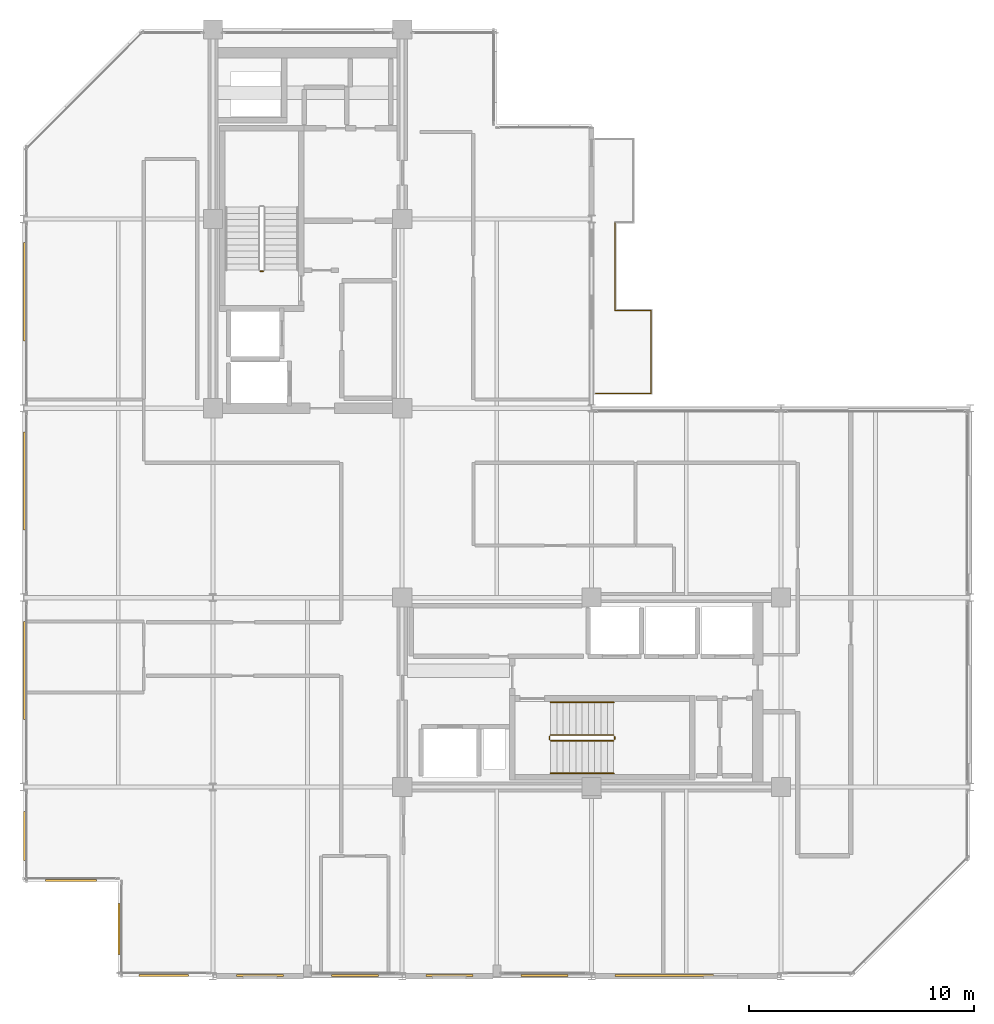
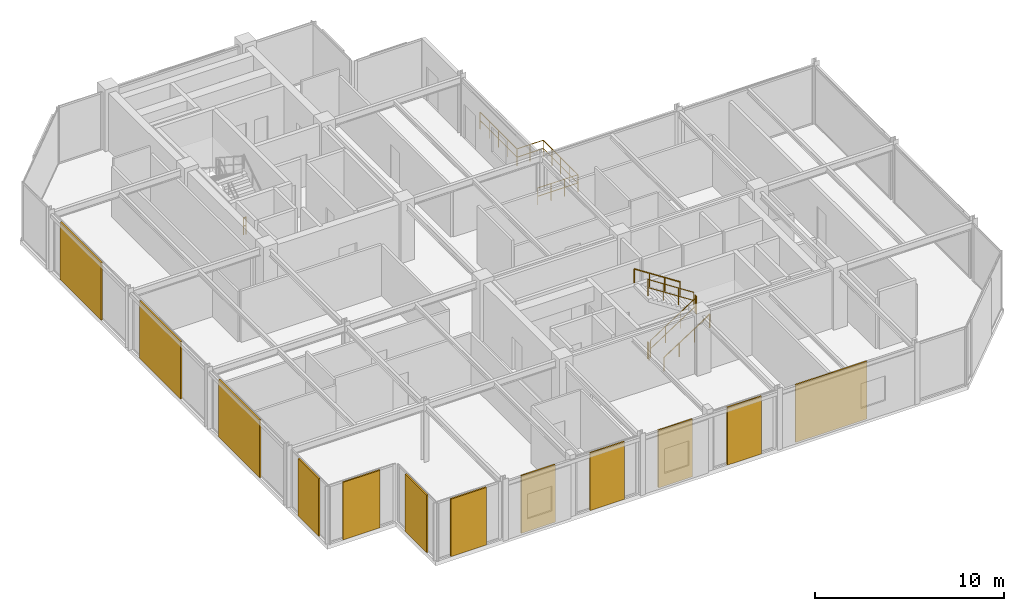
# One storey, part 24 of 26: 12 coverings, 11 railings.
"""IFC4 building model written with IfcOpenShell, lengths in metres."""

import ifcopenshell
import ifcopenshell.guid

model = None  # the IFC model being written
_history = None  # IfcOwnerHistory: only IFC2X3 demands one
_inside = {}  # id of a spatial element -> (the spatial element, [elements in it])
_under = {}  # id of a project, library or spatial element -> (it, [spatial elements below it])
_declared = {}  # id of a project -> (the project, [libraries it declares])
_typed = {}  # id of a type object -> (the type object, [elements of that type])
_made_of = {}  # id of a material, layer set ... -> (it, [elements and type objects made of it])


def new_model(schema):
    """Start an empty IFC model of exactly this schema.

    Asked for "IFC4X3", IfcOpenShell would pick the latest addendum, in which some entities
    have other attributes; the version numbers below select the first issue.
    IFC2X3 requires an IfcOwnerHistory on every rooted entity: one is made here for all.
    """
    global model, _history
    if schema == "IFC4X3":
        model = ifcopenshell.file(schema_version=(4, 3, 0, 0))
    else:
        model = ifcopenshell.file(schema=schema)
    _inside.clear()
    _under.clear()
    _declared.clear()
    _typed.clear()
    _made_of.clear()
    _history = None
    if model.schema == "IFC2X3":
        org = make("IfcOrganization", Name="unknown")
        user = make(
            "IfcPersonAndOrganization",
            ThePerson=make("IfcPerson", FamilyName="unknown"),
            TheOrganization=org,
        )
        app = make(
            "IfcApplication",
            ApplicationDeveloper=org,
            Version="unknown",
            ApplicationFullName="unknown",
            ApplicationIdentifier="unknown",
        )
        _history = make(
            "IfcOwnerHistory",
            OwningUser=user,
            OwningApplication=app,
            ChangeAction="ADDED",
            CreationDate=0,
        )
    return model


def make(cls, **values):
    """One entity of the class cls with the attributes given. An attribute that is None is left unset."""
    return model.create_entity(
        cls, **{name: value for name, value in values.items() if value is not None}
    )


def rooted(cls, **values):
    """An entity with a GlobalId (a new one), such as an element, a storey or a relation."""
    return make(cls, GlobalId=ifcopenshell.guid.new(), OwnerHistory=_history, **values)


def si_unit(unit_type, name, prefix=None):
    """IfcSIUnit, for example si_unit("LENGTHUNIT", "METRE", prefix="MILLI")."""
    return make("IfcSIUnit", UnitType=unit_type, Prefix=prefix, Name=name)


def assignment(units):
    """IfcUnitAssignment: the units of a project."""
    return None if units is None else make("IfcUnitAssignment", Units=units)


def point(xyz):
    """IfcCartesianPoint."""
    return None if xyz is None else make("IfcCartesianPoint", Coordinates=xyz)


def direction(xyz):
    """IfcDirection."""
    return None if xyz is None else make("IfcDirection", DirectionRatios=xyz)


def frame(location, z_axis=None, x_axis=None):
    """IfcAxis2Placement3D, a coordinate frame: its origin and axes. An axis left out is left unset."""
    return make(
        "IfcAxis2Placement3D",
        Location=point(location),
        Axis=direction(z_axis),
        RefDirection=direction(x_axis),
    )


def frame_2d(location, x_axis=None):
    """IfcAxis2Placement2D, a coordinate frame in the plane: its origin and x axis."""
    return make(
        "IfcAxis2Placement2D", Location=point(location), RefDirection=direction(x_axis)
    )


def origin():
    """The frame at (0, 0, 0) with its axes left unset."""
    return frame((0.0, 0.0, 0.0))


def origin_2d():
    """The frame at (0, 0) in the plane with its x axis left unset."""
    return frame_2d((0.0, 0.0))


def place(relative_to, where):
    """IfcLocalPlacement: puts the frame where relative to a parent placement (None: the world)."""
    return make(
        "IfcLocalPlacement", PlacementRelTo=relative_to, RelativePlacement=where
    )


def context(
    kind, dimensions, precision=None, world=None, true_north=None, identifier=None
):
    """IfcGeometricRepresentationContext, for example the 3D "Model" context."""
    return make(
        "IfcGeometricRepresentationContext",
        ContextIdentifier=identifier,
        ContextType=kind,
        CoordinateSpaceDimension=dimensions,
        Precision=precision,
        WorldCoordinateSystem=world,
        TrueNorth=true_north,
    )


def subcontext(parent, identifier, kind, view, scale=None):
    """IfcGeometricRepresentationSubContext, for example "Body" below "Model"."""
    return make(
        "IfcGeometricRepresentationSubContext",
        ContextIdentifier=identifier,
        ContextType=kind,
        ParentContext=parent,
        TargetScale=scale,
        TargetView=view,
    )


def project(units=None, contexts=None):
    """IfcProject with its units and contexts."""
    return rooted(
        "IfcProject",
        Name="project",
        RepresentationContexts=contexts,
        UnitsInContext=assignment(units),
    )


def spatial(cls, under=None, at=None, **own):
    """A site, building, storey or space (cls), placed at a placement, below another one or the project."""
    s = rooted(cls, ObjectPlacement=at, **own)
    if under is not None:
        _under.setdefault(under.id(), (under, []))[1].append(s)
    return s


def profile(cls, at=None, kind="AREA", **sizes):
    """A parametric profile (cls). Its sizes go by their IFC names, for example OverallWidth=200.0."""
    return make(cls, ProfileType=kind, Position=at, **sizes)


def rectangle(**sizes):
    """IfcRectangleProfileDef."""
    return profile("IfcRectangleProfileDef", **sizes)


def circle(**sizes):
    """IfcCircleProfileDef."""
    return profile("IfcCircleProfileDef", **sizes)


def extrude(swept, where, along, depth):
    """IfcExtrudedAreaSolid: the profile swept, set in the frame where, extruded along a direction by depth."""
    return make(
        "IfcExtrudedAreaSolid",
        SweptArea=swept,
        Position=where,
        ExtrudedDirection=direction(along),
        Depth=depth,
    )


def shape(context_of_items, identifier, shape_type, items):
    """IfcShapeRepresentation: the items that make up one representation, for example the "Body"."""
    return make(
        "IfcShapeRepresentation",
        ContextOfItems=context_of_items,
        RepresentationIdentifier=identifier,
        RepresentationType=shape_type,
        Items=items,
    )


def material(Name=None, Category=None):
    """IfcMaterial."""
    return make("IfcMaterial", Name=Name, Category=Category)


def layer(
    of_material, thickness, ventilated=None, Name=None, Category=None, Priority=None
):
    """IfcMaterialLayer: one layer of a wall or slab, of a material (None: an air gap)."""
    return make(
        "IfcMaterialLayer",
        Material=of_material,
        LayerThickness=thickness,
        IsVentilated=ventilated,
        Name=Name,
        Category=Category,
        Priority=Priority,
    )


def layer_set(layers, Name=None):
    """IfcMaterialLayerSet."""
    return make("IfcMaterialLayerSet", MaterialLayers=layers, LayerSetName=Name)


def made_of(thing, what):
    """Note that an element or type object is made of a material, layer set ...; save() writes the relation."""
    if what is not None:
        _made_of.setdefault(what.id(), (what, []))[1].append(thing)
    return thing


def type_object(cls, material=None, **own):
    """A type object (cls), such as IfcWallType, which elements share."""
    return made_of(rooted(cls, **own), material)


def element(
    cls,
    number,
    at=None,
    inside=None,
    cuts=None,
    type_object=None,
    material=None,
    context=None,
    identifier="Body",
    shape_type=None,
    held_by="IfcProductDefinitionShape",
    body=None,
    shapes=None,
    **own,
):
    """One element of the class cls, such as IfcWall. Its Tag is "e" and its number.

    at: its placement. inside: the storey or other place that contains it. cuts: it is an
    opening in that element (IfcRelVoidsElement). A single representation is given by context,
    identifier, shape_type and body (its items); several are given by shapes. held_by: the class
    of the entity that holds the representations. save() writes the other relations.
    """
    e = rooted(cls, Tag="e%d" % number, ObjectPlacement=at, **own)
    if body is not None:
        shapes = [shape(context, identifier, shape_type, body)]
    if shapes is not None:
        e.Representation = make(held_by, Representations=shapes)
    if inside is not None:
        _inside.setdefault(inside.id(), (inside, []))[1].append(e)
    if cuts is not None:
        rooted(
            "IfcRelVoidsElement", RelatingBuildingElement=cuts, RelatedOpeningElement=e
        )
    if type_object is not None:
        _typed.setdefault(type_object.id(), (type_object, []))[1].append(e)
    return made_of(e, material)


def aggregate(whole, parts):
    """IfcRelAggregates: a whole, such as a stair, and the parts it consists of."""
    return rooted("IfcRelAggregates", RelatingObject=whole, RelatedObjects=parts)


def save(model, path):
    """Write the relations noted so far, then the file.

    IfcRelAggregates (storeys below a building ...), IfcRelContainedInSpatialStructure (elements
    in a storey), IfcRelDefinesByType, IfcRelAssociatesMaterial and IfcRelDeclares: one each for
    every whole, place, type object, material and project.
    """
    for whole, parts in _under.values():
        aggregate(whole, parts)
    for where, things in _inside.values():
        rooted(
            "IfcRelContainedInSpatialStructure",
            RelatedElements=things,
            RelatingStructure=where,
        )
    for kind, things in _typed.values():
        rooted("IfcRelDefinesByType", RelatedObjects=things, RelatingType=kind)
    for what, things in _made_of.values():
        rooted("IfcRelAssociatesMaterial", RelatedObjects=things, RelatingMaterial=what)
    for by, libraries in _declared.values():
        rooted("IfcRelDeclares", RelatingContext=by, RelatedDefinitions=libraries)
    model.write(path)


model = new_model("IFC4")

# Units and contexts
model_context = context("Model", 3, precision=1e-05, world=origin(), true_north=direction((0.0, 1.0)))
body_context = subcontext(model_context, "Body", "Model", "MODEL_VIEW")
ifc_project = project(units=[si_unit("LENGTHUNIT", "METRE"), si_unit("AREAUNIT", "SQUARE_METRE"), si_unit("VOLUMEUNIT", "CUBIC_METRE"), si_unit("PLANEANGLEUNIT", "RADIAN"), si_unit("MASSUNIT", "GRAM", prefix="KILO")], contexts=[model_context])

# Site, building, storey
site_placement = place(None, origin())
site = spatial("IfcSite", under=ifc_project, at=site_placement, CompositionType="ELEMENT")
building_placement = place(site_placement, origin())
building = spatial("IfcBuilding", under=site, at=building_placement, Name="Nerrivon Quay Data Exchange", CompositionType="ELEMENT")
storey_placement = place(building_placement, frame((0.0, 0.0, 270.199951171875)))
storey = spatial("IfcBuildingStorey", under=building, at=storey_placement, Name="L64", CompositionType="ELEMENT", Elevation=270.199951171875)

# Coverings
ifc_material_1 = material(Name="Architectural terracotta ceramic", Category="masonry")
ifc_layer = layer(ifc_material_1, 0.090087890625)
ifc_layer_set = layer_set([ifc_layer], Name="Architectural terracotta ceramic")
covering_type = type_object("IfcCoveringType", Name="COV-SCR-TERR", PredefinedType="CLADDING", material=ifc_layer_set)
covering_1_placement = place(storey_placement, frame((28.42919921875, 0.044921875, 0.0), z_axis=(0.0, 0.0, 1.0), x_axis=(-1.0, 0.0, 0.0)))
element("IfcCovering", 1, at=covering_1_placement, inside=storey, type_object=covering_type, Name="L64 Perforated Terracotta SOLAR SCREEN Cassette", PredefinedType="CLADDING", context=body_context, shape_type="SweptSolid", body=[
    extrude(rectangle(XDim=4.367919921875, YDim=0.090087890625, at=origin_2d()), origin(), (0.0, 0.0, 1.0), 3.72509765625),
])
for number, where, z_axis, x_axis, name in (
    (2, (23.109619140625, 0.044921875, 0.0), (0.0, 0.0, 1.0), (-1.0, 0.0, 0.0), "L64 Perforated Terracotta SOLAR SCREEN Cassette"),
    (3, (18.890380859375, 0.044921875, 0.0), (0.0, 0.0, 1.0), (-1.0, 0.0, 0.0), "L64 Perforated Terracotta SOLAR SCREEN Cassette"),
    (4, (14.709716796875, 0.044921875, 0.0), (0.0, 0.0, 1.0), (-1.0, 0.0, 0.0), "L64 Perforated Terracotta SOLAR SCREEN Cassette"),
    (5, (10.490234375, 0.044921875, 0.0), (0.0, 0.0, 1.0), (-1.0, 0.0, 0.0), "L64 Perforated Terracotta SOLAR SCREEN Cassette"),
):
    element("IfcCovering", number, at=place(storey_placement, frame(where, z_axis=z_axis, x_axis=x_axis)), inside=storey, type_object=covering_type, Name=name, PredefinedType="CLADDING", context=body_context, shape_type="SweptSolid", body=[
        extrude(rectangle(XDim=2.090087890625, YDim=0.090087890625, at=origin_2d()), origin(), (0.0, 0.0, 1.0), 3.72509765625),
    ])
covering_2_placement = place(storey_placement, frame((6.222412109375, 0.044921875, 0.0), z_axis=(0.0, 0.0, 1.0), x_axis=(-1.0, 0.0, 0.0)))
element("IfcCovering", 6, at=covering_2_placement, inside=storey, type_object=covering_type, Name="L64 Perforated Terracotta SOLAR SCREEN Cassette", PredefinedType="CLADDING", context=body_context, shape_type="SweptSolid", body=[
    extrude(rectangle(XDim=2.18408203125, YDim=0.090087890625, at=origin_2d()), origin(), (0.0, 0.0, 1.0), 3.72509765625),
])
for number, where, z_axis, x_axis, name in (
    (7, (4.2451171875, 2.10009765625, 0.0), (0.0, 0.0, 1.0), (0.0, 1.0, 0.0), "L64 Perforated Terracotta SOLAR SCREEN Cassette"),
    (8, (2.10009765625, 4.2451171875, 0.0), (0.0, 0.0, 1.0), (-1.0, 0.0, 0.0), "L64 Perforated Terracotta SOLAR SCREEN Cassette"),
):
    element("IfcCovering", number, at=place(storey_placement, frame(where, z_axis=z_axis, x_axis=x_axis)), inside=storey, type_object=covering_type, Name=name, PredefinedType="CLADDING", context=body_context, shape_type="SweptSolid", body=[
        extrude(rectangle(XDim=2.26806640625, YDim=0.090087890625, at=origin_2d()), origin(), (0.0, 0.0, 1.0), 3.72509765625),
    ])
covering_3_placement = place(storey_placement, frame((0.044921875, 6.21826171875, 0.0), z_axis=(0.0, 0.0, 1.0), x_axis=(0.0, 1.0, 0.0)))
element("IfcCovering", 9, at=covering_3_placement, inside=storey, type_object=covering_type, Name="L64 Perforated Terracotta SOLAR SCREEN Cassette", PredefinedType="CLADDING", context=body_context, shape_type="SweptSolid", body=[
    extrude(rectangle(XDim=2.179931640625, YDim=0.090087890625, at=origin_2d()), origin(), (0.0, 0.0, 1.0), 3.72509765625),
])
for number, where, z_axis, x_axis, name in (
    (10, (0.044921875, 13.56884765625, 0.0), (0.0, 0.0, 1.0), (0.0, 1.0, 0.0), "L64 Perforated Terracotta SOLAR SCREEN Cassette"),
    (11, (0.044921875, 21.96875, 0.0), (0.0, 0.0, 1.0), (0.0, 1.0, 0.0), "L64 Perforated Terracotta SOLAR SCREEN Cassette"),
    (12, (0.044921875, 30.368896484375, 0.0), (0.0, 0.0, 1.0), (0.0, 1.0, 0.0), "L64 Perforated Terracotta SOLAR SCREEN Cassette"),
):
    element("IfcCovering", number, at=place(storey_placement, frame(where, z_axis=z_axis, x_axis=x_axis)), inside=storey, type_object=covering_type, Name=name, PredefinedType="CLADDING", context=body_context, shape_type="SweptSolid", body=[
        extrude(rectangle(XDim=4.35888671875, YDim=0.090087890625, at=origin_2d()), origin(), (0.0, 0.0, 1.0), 3.72509765625),
    ])

# Railings
ifc_material_2 = material(Name="Steel Grade C350L0 (350 MPa)", Category="steel")
railing_type_1 = type_object("IfcRailingType", Name="RAIL-GUARD-GR2", PredefinedType="BALUSTRADE", material=ifc_material_2)
railing_1_placement = place(storey_placement, frame((26.239990234375, 29.5400390625, 0.0)))
element("IfcRailing", 13, at=railing_1_placement, inside=storey, type_object=railing_type_1, Name="L64 Verandah Balcony Guard 1.1 1", PredefinedType="BALUSTRADE", context=body_context, shape_type="SweptSolid", body=[
    extrude(circle(Radius=0.02392578125, at=origin_2d()), frame((0.0, 0.0, 1.09619140625), z_axis=(1.0, 0.0, 0.0), x_axis=(0.0, 1.0, 0.0)), (0.0, 0.0, 1.0), 1.60009765625),
    extrude(circle(Radius=0.02392578125, at=origin_2d()), frame((0.0, 0.0, 0.56005859375), z_axis=(1.0, 0.0, 0.0), x_axis=(0.0, 1.0, 0.0)), (0.0, 0.0, 1.0), 1.60009765625),
    extrude(circle(Radius=0.02099609375, at=origin_2d()), origin(), (0.0, 0.0, 1.0), 1.072021484375),
    extrude(circle(Radius=0.02099609375, at=origin_2d()), frame((0.800048828125, 0.0, 0.0)), (0.0, 0.0, 1.0), 1.072021484375),
    extrude(circle(Radius=0.02099609375, at=origin_2d()), frame((1.60009765625, 0.0, 0.0)), (0.0, 0.0, 1.0), 1.072021484375),
])
railing_2_placement = place(storey_placement, frame((27.840087890625, 29.5400390625, 0.0)))
element("IfcRailing", 14, at=railing_2_placement, inside=storey, type_object=railing_type_1, Name="L64 Verandah Balcony Guard 1.2 1", PredefinedType="BALUSTRADE", context=body_context, shape_type="SweptSolid", body=[
    extrude(circle(Radius=0.02392578125, at=origin_2d()), frame((0.0, 0.0, 1.09619140625), z_axis=(0.0, -1.0, 0.0), x_axis=(1.0, 0.0, 0.0)), (0.0, 0.0, 1.0), 3.679931640625),
    extrude(circle(Radius=0.02392578125, at=origin_2d()), frame((0.0, 0.0, 0.56005859375), z_axis=(0.0, -1.0, 0.0), x_axis=(1.0, 0.0, 0.0)), (0.0, 0.0, 1.0), 3.679931640625),
    extrude(circle(Radius=0.02099609375, at=origin_2d()), origin(), (0.0, 0.0, 1.0), 1.072021484375),
    extrude(circle(Radius=0.02099609375, at=origin_2d()), frame((0.0, -0.919921875, 0.0)), (0.0, 0.0, 1.0), 1.072021484375),
    extrude(circle(Radius=0.02099609375, at=origin_2d()), frame((0.0, -1.83984375, 0.0)), (0.0, 0.0, 1.0), 1.072021484375),
    extrude(circle(Radius=0.02099609375, at=origin_2d()), frame((0.0, -2.760009765625, 0.0)), (0.0, 0.0, 1.0), 1.072021484375),
    extrude(circle(Radius=0.02099609375, at=origin_2d()), frame((0.0, -3.679931640625, 0.0)), (0.0, 0.0, 1.0), 1.072021484375),
])
railing_3_placement = place(storey_placement, frame((27.840087890625, 25.860107421875, 0.0)))
element("IfcRailing", 15, at=railing_3_placement, inside=storey, type_object=railing_type_1, Name="L64 Verandah Balcony Guard 1.3 1", PredefinedType="BALUSTRADE", context=body_context, shape_type="SweptSolid", body=[
    extrude(circle(Radius=0.02392578125, at=origin_2d()), frame((0.0, 0.0, 1.09619140625), z_axis=(-1.0, 0.0, 0.0), x_axis=(0.0, -1.0, 0.0)), (0.0, 0.0, 1.0), 2.460205078125),
    extrude(circle(Radius=0.02392578125, at=origin_2d()), frame((0.0, 0.0, 0.56005859375), z_axis=(-1.0, 0.0, 0.0), x_axis=(0.0, -1.0, 0.0)), (0.0, 0.0, 1.0), 2.460205078125),
    extrude(circle(Radius=0.02099609375, at=origin_2d()), origin(), (0.0, 0.0, 1.0), 1.072021484375),
    extrude(circle(Radius=0.02099609375, at=origin_2d()), frame((-0.820068359375, 0.0, 0.0)), (0.0, 0.0, 1.0), 1.072021484375),
    extrude(circle(Radius=0.02099609375, at=origin_2d()), frame((-1.64013671875, 0.0, 0.0)), (0.0, 0.0, 1.0), 1.072021484375),
    extrude(circle(Radius=0.02099609375, at=origin_2d()), frame((-2.460205078125, 0.0, 0.0)), (0.0, 0.0, 1.0), 1.072021484375),
])
railing_4_placement = place(storey_placement, frame((26.239990234375, 33.4599609375, 0.0)))
element("IfcRailing", 16, at=railing_4_placement, inside=storey, type_object=railing_type_1, Name="L64 Verandah Balcony Guard 1.7 1", PredefinedType="BALUSTRADE", context=body_context, shape_type="SweptSolid", body=[
    extrude(circle(Radius=0.02392578125, at=origin_2d()), frame((0.0, 0.0, 1.09619140625), z_axis=(0.0, -1.0, 0.0), x_axis=(1.0, 0.0, 0.0)), (0.0, 0.0, 1.0), 3.919921875),
    extrude(circle(Radius=0.02392578125, at=origin_2d()), frame((0.0, 0.0, 0.56005859375), z_axis=(0.0, -1.0, 0.0), x_axis=(1.0, 0.0, 0.0)), (0.0, 0.0, 1.0), 3.919921875),
    extrude(circle(Radius=0.02099609375, at=origin_2d()), origin(), (0.0, 0.0, 1.0), 1.072021484375),
    extrude(circle(Radius=0.02099609375, at=origin_2d()), frame((0.0, -0.97998046875, 0.0)), (0.0, 0.0, 1.0), 1.072021484375),
    extrude(circle(Radius=0.02099609375, at=origin_2d()), frame((0.0, -1.9599609375, 0.0)), (0.0, 0.0, 1.0), 1.072021484375),
    extrude(circle(Radius=0.02099609375, at=origin_2d()), frame((0.0, -2.93994140625, 0.0)), (0.0, 0.0, 1.0), 1.072021484375),
    extrude(circle(Radius=0.02099609375, at=origin_2d()), frame((0.0, -3.919921875, 0.0)), (0.0, 0.0, 1.0), 1.072021484375),
])
railing_type_2 = type_object("IfcRailingType", Name="RAIL-HAND-HR1", PredefinedType="HANDRAIL", material=ifc_material_2)
railing_5_placement = place(storey_placement, frame((23.3798828125, 9.0, 0.181884765625)))
element("IfcRailing", 17, at=railing_5_placement, inside=storey, type_object=railing_type_2, Name="L64 ST02 stair handrail 1", PredefinedType="HANDRAIL", context=body_context, shape_type="SweptSolid", body=[
    extrude(circle(Radius=0.02392578125, at=origin_2d()), frame((0.0, 0.0, 0.8759765625), z_axis=(0.838705829183, 0.0, 0.544584733623), x_axis=(0.0, 1.0, 0.0)), (0.0, 0.0, 1.0), 3.338623046875),
    extrude(circle(Radius=0.02099609375, at=origin_2d()), origin(), (0.0, 0.0, 1.0), 0.851806640625),
    extrude(circle(Radius=0.02099609375, at=origin_2d()), frame((0.933349609375, 0.0, 0.60595703125)), (0.0, 0.0, 1.0), 0.851806640625),
    extrude(circle(Radius=0.02099609375, at=origin_2d()), frame((1.86669921875, 0.0, 1.212158203125)), (0.0, 0.0, 1.0), 0.851806640625),
    extrude(circle(Radius=0.02099609375, at=origin_2d()), frame((2.800048828125, 0.0, 1.818115234375)), (0.0, 0.0, 1.0), 0.851806640625),
])
railing_6_placement = place(storey_placement, frame((26.179931640625, 12.14990234375, 2.181884765625)))
element("IfcRailing", 18, at=railing_6_placement, inside=storey, type_object=railing_type_2, Name="L64 ST02 stair handrail 2", PredefinedType="HANDRAIL", context=body_context, shape_type="SweptSolid", body=[
    extrude(circle(Radius=0.02392578125, at=origin_2d()), frame((0.0, 0.0, 0.8759765625), z_axis=(-0.838705829183, 0.0, 0.544584733623), x_axis=(0.0, -1.0, 0.0)), (0.0, 0.0, 1.0), 3.338623046875),
    extrude(circle(Radius=0.02099609375, at=origin_2d()), origin(), (0.0, 0.0, 1.0), 0.851806640625),
    extrude(circle(Radius=0.02099609375, at=origin_2d()), frame((-0.933349609375, 0.0, 0.60595703125)), (0.0, 0.0, 1.0), 0.851806640625),
    extrude(circle(Radius=0.02099609375, at=origin_2d()), frame((-1.86669921875, 0.0, 1.212158203125)), (0.0, 0.0, 1.0), 0.851806640625),
    extrude(circle(Radius=0.02099609375, at=origin_2d()), frame((-2.800048828125, 0.0, 1.818115234375)), (0.0, 0.0, 1.0), 0.851806640625),
])
railing_type_3 = type_object("IfcRailingType", Name="RAIL-STAIR-GR1", PredefinedType="BALUSTRADE", material=ifc_material_2)
railing_7_placement = place(storey_placement, frame((10.64990234375, 31.280029296875, 0.0)))
element("IfcRailing", 19, at=railing_7_placement, inside=storey, type_object=railing_type_3, Name="L64 ST01 stair guard 4", PredefinedType="BALUSTRADE", context=body_context, shape_type="SweptSolid", body=[
    extrude(circle(Radius=0.02392578125, at=origin_2d()), frame((0.0, 0.0, 1.076171875), z_axis=(-1.0, 0.0, 0.0), x_axis=(0.0, -1.0, 0.0)), (0.0, 0.0, 1.0), 0.14990234375),
    extrude(circle(Radius=0.02392578125, at=origin_2d()), frame((0.0, 0.0, 0.550048828125), z_axis=(-1.0, 0.0, 0.0), x_axis=(0.0, -1.0, 0.0)), (0.0, 0.0, 1.0), 0.14990234375),
    extrude(circle(Radius=0.02099609375, at=origin_2d()), origin(), (0.0, 0.0, 1.0), 1.052001953125),
    extrude(circle(Radius=0.02099609375, at=origin_2d()), frame((-0.14990234375, 0.0, 0.0)), (0.0, 0.0, 1.0), 1.052001953125),
])
railing_8_placement = place(storey_placement, frame((23.3798828125, 10.449951171875, 0.181884765625)))
element("IfcRailing", 20, at=railing_8_placement, inside=storey, type_object=railing_type_3, Name="L64 ST02 stair guard 1", PredefinedType="BALUSTRADE", context=body_context, shape_type="SweptSolid", body=[
    extrude(circle(Radius=0.02392578125, at=origin_2d()), frame((0.0, 0.0, 1.076171875), z_axis=(0.838705829183, 0.0, 0.544584733623), x_axis=(0.0, 1.0, 0.0)), (0.0, 0.0, 1.0), 3.338623046875),
    extrude(circle(Radius=0.02392578125, at=origin_2d()), frame((0.0, 0.0, 0.550048828125), z_axis=(0.838705829183, 0.0, 0.544584733623), x_axis=(0.0, 1.0, 0.0)), (0.0, 0.0, 1.0), 3.338623046875),
    extrude(circle(Radius=0.02099609375, at=origin_2d()), origin(), (0.0, 0.0, 1.0), 1.052001953125),
    extrude(circle(Radius=0.02099609375, at=origin_2d()), frame((0.933349609375, 0.0, 0.60595703125)), (0.0, 0.0, 1.0), 1.052001953125),
    extrude(circle(Radius=0.02099609375, at=origin_2d()), frame((1.86669921875, 0.0, 1.212158203125)), (0.0, 0.0, 1.0), 1.052001953125),
    extrude(circle(Radius=0.02099609375, at=origin_2d()), frame((2.800048828125, 0.0, 1.818115234375)), (0.0, 0.0, 1.0), 1.052001953125),
])
railing_9_placement = place(storey_placement, frame((26.22998046875, 10.5, 2.0)))
element("IfcRailing", 21, at=railing_9_placement, inside=storey, type_object=railing_type_3, Name="L64 ST02 stair guard 2", PredefinedType="BALUSTRADE", context=body_context, shape_type="SweptSolid", body=[
    extrude(circle(Radius=0.02392578125, at=origin_2d()), frame((0.0, 0.0, 1.076171875), z_axis=(0.0, 1.0, 0.0), x_axis=(-1.0, 0.0, 0.0)), (0.0, 0.0, 1.0), 0.14990234375),
    extrude(circle(Radius=0.02392578125, at=origin_2d()), frame((0.0, 0.0, 0.550048828125), z_axis=(0.0, 1.0, 0.0), x_axis=(-1.0, 0.0, 0.0)), (0.0, 0.0, 1.0), 0.14990234375),
    extrude(circle(Radius=0.02099609375, at=origin_2d()), origin(), (0.0, 0.0, 1.0), 1.052001953125),
    extrude(circle(Radius=0.02099609375, at=origin_2d()), frame((0.0, 0.14990234375, 0.0)), (0.0, 0.0, 1.0), 1.052001953125),
])
railing_10_placement = place(storey_placement, frame((26.179931640625, 10.699951171875, 2.181884765625)))
element("IfcRailing", 22, at=railing_10_placement, inside=storey, type_object=railing_type_3, Name="L64 ST02 stair guard 3", PredefinedType="BALUSTRADE", context=body_context, shape_type="SweptSolid", body=[
    extrude(circle(Radius=0.02392578125, at=origin_2d()), frame((0.0, 0.0, 1.076171875), z_axis=(-0.838705829183, 0.0, 0.544584733623), x_axis=(0.0, -1.0, 0.0)), (0.0, 0.0, 1.0), 3.338623046875),
    extrude(circle(Radius=0.02392578125, at=origin_2d()), frame((0.0, 0.0, 0.550048828125), z_axis=(-0.838705829183, 0.0, 0.544584733623), x_axis=(0.0, -1.0, 0.0)), (0.0, 0.0, 1.0), 3.338623046875),
    extrude(circle(Radius=0.02099609375, at=origin_2d()), origin(), (0.0, 0.0, 1.0), 1.052001953125),
    extrude(circle(Radius=0.02099609375, at=origin_2d()), frame((-0.933349609375, 0.0, 0.60595703125)), (0.0, 0.0, 1.0), 1.052001953125),
    extrude(circle(Radius=0.02099609375, at=origin_2d()), frame((-1.86669921875, 0.0, 1.212158203125)), (0.0, 0.0, 1.0), 1.052001953125),
    extrude(circle(Radius=0.02099609375, at=origin_2d()), frame((-2.800048828125, 0.0, 1.818115234375)), (0.0, 0.0, 1.0), 1.052001953125),
])
railing_11_placement = place(storey_placement, frame((23.330078125, 10.5, 0.0)))
element("IfcRailing", 23, at=railing_11_placement, inside=storey, type_object=railing_type_3, Name="L64 ST02 stair guard 4", PredefinedType="BALUSTRADE", context=body_context, shape_type="SweptSolid", body=[
    extrude(circle(Radius=0.02392578125, at=origin_2d()), frame((0.0, 0.0, 1.076171875), z_axis=(0.0, 1.0, 0.0), x_axis=(-1.0, 0.0, 0.0)), (0.0, 0.0, 1.0), 0.14990234375),
    extrude(circle(Radius=0.02392578125, at=origin_2d()), frame((0.0, 0.0, 0.550048828125), z_axis=(0.0, 1.0, 0.0), x_axis=(-1.0, 0.0, 0.0)), (0.0, 0.0, 1.0), 0.14990234375),
    extrude(circle(Radius=0.02099609375, at=origin_2d()), origin(), (0.0, 0.0, 1.0), 1.052001953125),
    extrude(circle(Radius=0.02099609375, at=origin_2d()), frame((0.0, 0.14990234375, 0.0)), (0.0, 0.0, 1.0), 1.052001953125),
])

save(model, "model.ifc")
